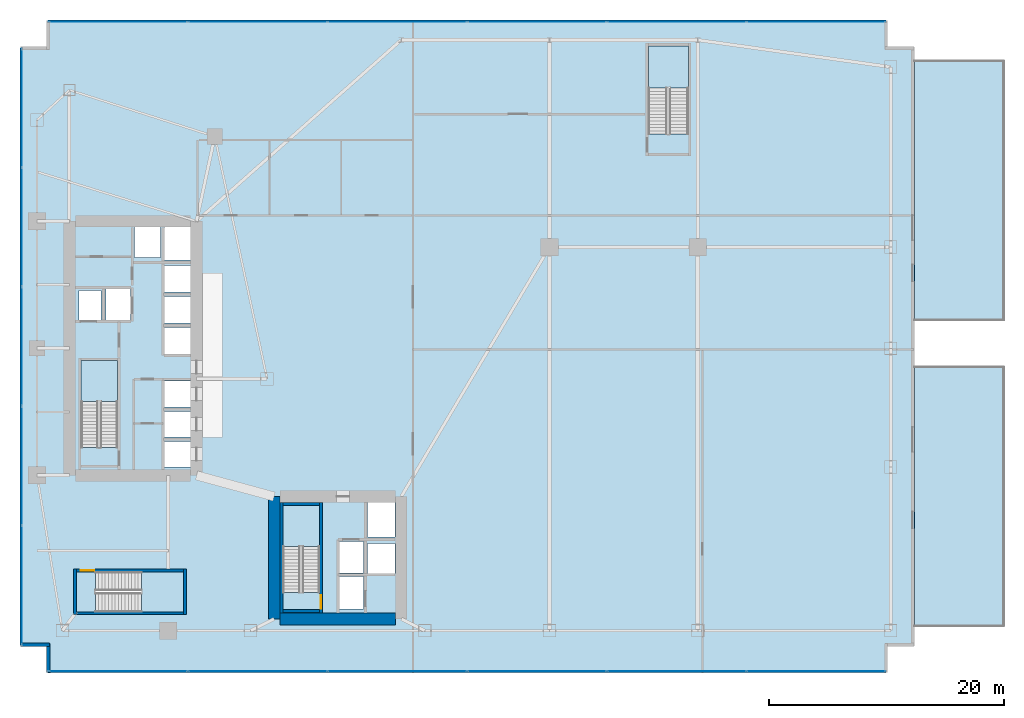
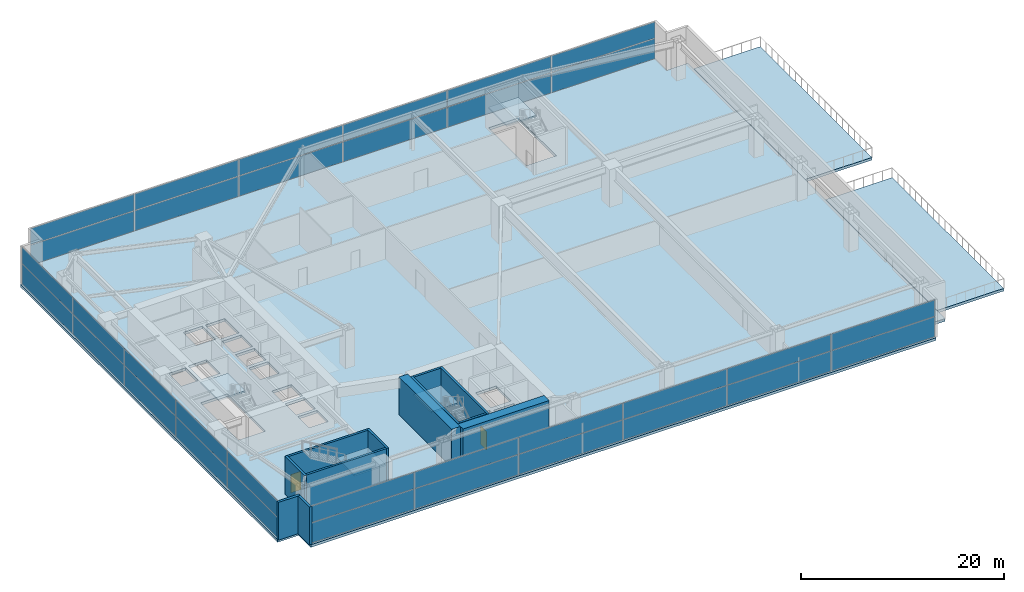
# One storey, part 24 of 30: 34 plates, 12 walls, 7 slabs, 2 doors, 2 openings, 7 elements without a shape of their own.
"""IFC4 building model written with IfcOpenShell, lengths in metres."""

import ifcopenshell
import ifcopenshell.guid

model = None  # the IFC model being written
_history = None  # IfcOwnerHistory: only IFC2X3 demands one
_inside = {}  # id of a spatial element -> (the spatial element, [elements in it])
_under = {}  # id of a project, library or spatial element -> (it, [spatial elements below it])
_declared = {}  # id of a project -> (the project, [libraries it declares])
_typed = {}  # id of a type object -> (the type object, [elements of that type])
_made_of = {}  # id of a material, layer set ... -> (it, [elements and type objects made of it])


def new_model(schema):
    """Start an empty IFC model of exactly this schema.

    Asked for "IFC4X3", IfcOpenShell would pick the latest addendum, in which some entities
    have other attributes; the version numbers below select the first issue.
    IFC2X3 requires an IfcOwnerHistory on every rooted entity: one is made here for all.
    """
    global model, _history
    if schema == "IFC4X3":
        model = ifcopenshell.file(schema_version=(4, 3, 0, 0))
    else:
        model = ifcopenshell.file(schema=schema)
    _inside.clear()
    _under.clear()
    _declared.clear()
    _typed.clear()
    _made_of.clear()
    _history = None
    if model.schema == "IFC2X3":
        org = make("IfcOrganization", Name="unknown")
        user = make(
            "IfcPersonAndOrganization",
            ThePerson=make("IfcPerson", FamilyName="unknown"),
            TheOrganization=org,
        )
        app = make(
            "IfcApplication",
            ApplicationDeveloper=org,
            Version="unknown",
            ApplicationFullName="unknown",
            ApplicationIdentifier="unknown",
        )
        _history = make(
            "IfcOwnerHistory",
            OwningUser=user,
            OwningApplication=app,
            ChangeAction="ADDED",
            CreationDate=0,
        )
    return model


def make(cls, **values):
    """One entity of the class cls with the attributes given. An attribute that is None is left unset."""
    return model.create_entity(
        cls, **{name: value for name, value in values.items() if value is not None}
    )


def rooted(cls, **values):
    """An entity with a GlobalId (a new one), such as an element, a storey or a relation."""
    return make(cls, GlobalId=ifcopenshell.guid.new(), OwnerHistory=_history, **values)


def si_unit(unit_type, name, prefix=None):
    """IfcSIUnit, for example si_unit("LENGTHUNIT", "METRE", prefix="MILLI")."""
    return make("IfcSIUnit", UnitType=unit_type, Prefix=prefix, Name=name)


def assignment(units):
    """IfcUnitAssignment: the units of a project."""
    return None if units is None else make("IfcUnitAssignment", Units=units)


def point(xyz):
    """IfcCartesianPoint."""
    return None if xyz is None else make("IfcCartesianPoint", Coordinates=xyz)


def direction(xyz):
    """IfcDirection."""
    return None if xyz is None else make("IfcDirection", DirectionRatios=xyz)


def frame(location, z_axis=None, x_axis=None):
    """IfcAxis2Placement3D, a coordinate frame: its origin and axes. An axis left out is left unset."""
    return make(
        "IfcAxis2Placement3D",
        Location=point(location),
        Axis=direction(z_axis),
        RefDirection=direction(x_axis),
    )


def frame_2d(location, x_axis=None):
    """IfcAxis2Placement2D, a coordinate frame in the plane: its origin and x axis."""
    return make(
        "IfcAxis2Placement2D", Location=point(location), RefDirection=direction(x_axis)
    )


def origin():
    """The frame at (0, 0, 0) with its axes left unset."""
    return frame((0.0, 0.0, 0.0))


def origin_2d():
    """The frame at (0, 0) in the plane with its x axis left unset."""
    return frame_2d((0.0, 0.0))


def place(relative_to, where):
    """IfcLocalPlacement: puts the frame where relative to a parent placement (None: the world)."""
    return make(
        "IfcLocalPlacement", PlacementRelTo=relative_to, RelativePlacement=where
    )


def context(
    kind, dimensions, precision=None, world=None, true_north=None, identifier=None
):
    """IfcGeometricRepresentationContext, for example the 3D "Model" context."""
    return make(
        "IfcGeometricRepresentationContext",
        ContextIdentifier=identifier,
        ContextType=kind,
        CoordinateSpaceDimension=dimensions,
        Precision=precision,
        WorldCoordinateSystem=world,
        TrueNorth=true_north,
    )


def subcontext(parent, identifier, kind, view, scale=None):
    """IfcGeometricRepresentationSubContext, for example "Body" below "Model"."""
    return make(
        "IfcGeometricRepresentationSubContext",
        ContextIdentifier=identifier,
        ContextType=kind,
        ParentContext=parent,
        TargetScale=scale,
        TargetView=view,
    )


def project(units=None, contexts=None):
    """IfcProject with its units and contexts."""
    return rooted(
        "IfcProject",
        Name="project",
        RepresentationContexts=contexts,
        UnitsInContext=assignment(units),
    )


def spatial(cls, under=None, at=None, **own):
    """A site, building, storey or space (cls), placed at a placement, below another one or the project."""
    s = rooted(cls, ObjectPlacement=at, **own)
    if under is not None:
        _under.setdefault(under.id(), (under, []))[1].append(s)
    return s


def polyline(points):
    """IfcPolyline through the points."""
    return make("IfcPolyline", Points=[point(p) for p in points])


def profile(cls, at=None, kind="AREA", **sizes):
    """A parametric profile (cls). Its sizes go by their IFC names, for example OverallWidth=200.0."""
    return make(cls, ProfileType=kind, Position=at, **sizes)


def rectangle(**sizes):
    """IfcRectangleProfileDef."""
    return profile("IfcRectangleProfileDef", **sizes)


def outline(outer, holes=None, kind="AREA"):
    """IfcArbitraryClosedProfileDef: a profile drawn as a closed curve; with holes, ...WithVoids."""
    if holes is None:
        return make("IfcArbitraryClosedProfileDef", ProfileType=kind, OuterCurve=outer)
    return make(
        "IfcArbitraryProfileDefWithVoids",
        ProfileType=kind,
        OuterCurve=outer,
        InnerCurves=holes,
    )


def extrude(swept, where, along, depth):
    """IfcExtrudedAreaSolid: the profile swept, set in the frame where, extruded along a direction by depth."""
    return make(
        "IfcExtrudedAreaSolid",
        SweptArea=swept,
        Position=where,
        ExtrudedDirection=direction(along),
        Depth=depth,
    )


def shape(context_of_items, identifier, shape_type, items):
    """IfcShapeRepresentation: the items that make up one representation, for example the "Body"."""
    return make(
        "IfcShapeRepresentation",
        ContextOfItems=context_of_items,
        RepresentationIdentifier=identifier,
        RepresentationType=shape_type,
        Items=items,
    )


def material(Name=None, Category=None):
    """IfcMaterial."""
    return make("IfcMaterial", Name=Name, Category=Category)


def layer(
    of_material, thickness, ventilated=None, Name=None, Category=None, Priority=None
):
    """IfcMaterialLayer: one layer of a wall or slab, of a material (None: an air gap)."""
    return make(
        "IfcMaterialLayer",
        Material=of_material,
        LayerThickness=thickness,
        IsVentilated=ventilated,
        Name=Name,
        Category=Category,
        Priority=Priority,
    )


def layer_set(layers, Name=None):
    """IfcMaterialLayerSet."""
    return make("IfcMaterialLayerSet", MaterialLayers=layers, LayerSetName=Name)


def made_of(thing, what):
    """Note that an element or type object is made of a material, layer set ...; save() writes the relation."""
    if what is not None:
        _made_of.setdefault(what.id(), (what, []))[1].append(thing)
    return thing


def type_object(cls, material=None, **own):
    """A type object (cls), such as IfcWallType, which elements share."""
    return made_of(rooted(cls, **own), material)


def element(
    cls,
    number,
    at=None,
    inside=None,
    cuts=None,
    type_object=None,
    material=None,
    context=None,
    identifier="Body",
    shape_type=None,
    held_by="IfcProductDefinitionShape",
    body=None,
    shapes=None,
    **own,
):
    """One element of the class cls, such as IfcWall. Its Tag is "e" and its number.

    at: its placement. inside: the storey or other place that contains it. cuts: it is an
    opening in that element (IfcRelVoidsElement). A single representation is given by context,
    identifier, shape_type and body (its items); several are given by shapes. held_by: the class
    of the entity that holds the representations. save() writes the other relations.
    """
    e = rooted(cls, Tag="e%d" % number, ObjectPlacement=at, **own)
    if body is not None:
        shapes = [shape(context, identifier, shape_type, body)]
    if shapes is not None:
        e.Representation = make(held_by, Representations=shapes)
    if inside is not None:
        _inside.setdefault(inside.id(), (inside, []))[1].append(e)
    if cuts is not None:
        rooted(
            "IfcRelVoidsElement", RelatingBuildingElement=cuts, RelatedOpeningElement=e
        )
    if type_object is not None:
        _typed.setdefault(type_object.id(), (type_object, []))[1].append(e)
    return made_of(e, material)


def fill(opening, filler):
    """IfcRelFillsElement: the door or window that sits in an opening."""
    return rooted(
        "IfcRelFillsElement",
        RelatingOpeningElement=opening,
        RelatedBuildingElement=filler,
    )


def aggregate(whole, parts):
    """IfcRelAggregates: a whole, such as a stair, and the parts it consists of."""
    return rooted("IfcRelAggregates", RelatingObject=whole, RelatedObjects=parts)


def save(model, path):
    """Write the relations noted so far, then the file.

    IfcRelAggregates (storeys below a building ...), IfcRelContainedInSpatialStructure (elements
    in a storey), IfcRelDefinesByType, IfcRelAssociatesMaterial and IfcRelDeclares: one each for
    every whole, place, type object, material and project.
    """
    for whole, parts in _under.values():
        aggregate(whole, parts)
    for where, things in _inside.values():
        rooted(
            "IfcRelContainedInSpatialStructure",
            RelatedElements=things,
            RelatingStructure=where,
        )
    for kind, things in _typed.values():
        rooted("IfcRelDefinesByType", RelatedObjects=things, RelatingType=kind)
    for what, things in _made_of.values():
        rooted("IfcRelAssociatesMaterial", RelatedObjects=things, RelatingMaterial=what)
    for by, libraries in _declared.values():
        rooted("IfcRelDeclares", RelatingContext=by, RelatedDefinitions=libraries)
    model.write(path)


model = new_model("IFC4")

# Units and contexts
model_context = context("Model", 3, precision=1e-05, world=origin(), true_north=direction((0.0, 1.0)))
body_context = subcontext(model_context, "Body", "Model", "MODEL_VIEW")
ifc_project = project(units=[si_unit("LENGTHUNIT", "METRE"), si_unit("AREAUNIT", "SQUARE_METRE"), si_unit("VOLUMEUNIT", "CUBIC_METRE"), si_unit("PLANEANGLEUNIT", "RADIAN"), si_unit("MASSUNIT", "GRAM", prefix="KILO")], contexts=[model_context])

# Site, building, storey
site_placement = place(None, origin())
site = spatial("IfcSite", under=ifc_project, at=site_placement, CompositionType="ELEMENT")
building_placement = place(site_placement, origin())
building = spatial("IfcBuilding", under=site, at=building_placement, Name="Calvorn Quay Hotel", CompositionType="ELEMENT")
storey_placement = place(building_placement, frame((0.0, 0.0, 17.0)))
storey = spatial("IfcBuildingStorey", under=building, at=storey_placement, Name="L03", CompositionType="ELEMENT", Elevation=17.0)

# Curtain wall, plates
ifc_material_1 = material(Name="Pale Anodised Aluminium and Low-E Glass", Category="aluminium")
ifc_layer_1 = layer(ifc_material_1, 0.219970703125)
ifc_layer_set_1 = layer_set([ifc_layer_1], Name="CW-SYS-POD")
curtain_wall_type = type_object("IfcCurtainWallType", Name="CW-SYS-POD", PredefinedType="NOTDEFINED", material=ifc_layer_set_1)
curtain_wall_1_placement = place(storey_placement, origin())
curtain_wall_1 = element("IfcCurtainWall", 1, at=curtain_wall_1_placement, inside=storey, type_object=curtain_wall_type, Name="Podium Curtain Wall L03-S1", PredefinedType="NOTDEFINED")
ifc_material_2 = material(Name="Low-E Laminated Double Glazing", Category="glass")
ifc_layer_2 = layer(ifc_material_2, 0.028076171875)
ifc_layer_set_2 = layer_set([ifc_layer_2], Name="CW-SYS-POD-PAN")
plate_type = type_object("IfcPlateType", Name="CW-SYS-POD-PAN", PredefinedType="CURTAIN_PANEL", material=ifc_layer_set_2)
plate_1_placement = place(storey_placement, frame((8.348388671875, 0.14990234375, 0.06005859375), z_axis=(0.0, 0.0, 1.0), x_axis=(1.0, 0.0, 0.0)))
plate_1 = element("IfcPlate", 2, at=plate_1_placement, type_object=plate_type, Name="CW-L03-S1 panel 1.1", PredefinedType="CURTAIN_PANEL", context=body_context, shape_type="SweptSolid", body=[
    extrude(rectangle(XDim=11.776611328125, YDim=0.028076171875, at=origin_2d()), origin(), (0.0, 0.0, 1.0), 2.409912109375),
])
plate_2_placement = place(storey_placement, frame((8.348388671875, 0.14990234375, 2.530029296875), z_axis=(0.0, 0.0, 1.0), x_axis=(1.0, 0.0, 0.0)))
plate_2 = element("IfcPlate", 3, at=plate_2_placement, type_object=plate_type, Name="CW-L03-S1 panel 1.2", PredefinedType="CURTAIN_PANEL", context=body_context, shape_type="SweptSolid", body=[
    extrude(rectangle(XDim=11.776611328125, YDim=0.028076171875, at=origin_2d()), origin(), (0.0, 0.0, 1.0), 1.9599609375),
])
plate_3_placement = place(storey_placement, frame((20.199951171875, 0.14990234375, 0.06005859375), z_axis=(0.0, 0.0, 1.0), x_axis=(1.0, 0.0, 0.0)))
plate_3 = element("IfcPlate", 4, at=plate_3_placement, type_object=plate_type, Name="CW-L03-S1 panel 2.1", PredefinedType="CURTAIN_PANEL", context=body_context, shape_type="SweptSolid", body=[
    extrude(rectangle(XDim=11.806640625, YDim=0.028076171875, at=origin_2d()), origin(), (0.0, 0.0, 1.0), 2.409912109375),
])
plate_4_placement = place(storey_placement, frame((20.199951171875, 0.14990234375, 2.530029296875), z_axis=(0.0, 0.0, 1.0), x_axis=(1.0, 0.0, 0.0)))
plate_4 = element("IfcPlate", 5, at=plate_4_placement, type_object=plate_type, Name="CW-L03-S1 panel 2.2", PredefinedType="CURTAIN_PANEL", context=body_context, shape_type="SweptSolid", body=[
    extrude(rectangle(XDim=11.806640625, YDim=0.028076171875, at=origin_2d()), origin(), (0.0, 0.0, 1.0), 1.9599609375),
])
plate_5_placement = place(storey_placement, frame((32.066650390625, 0.14990234375, 0.06005859375), z_axis=(0.0, 0.0, 1.0), x_axis=(1.0, 0.0, 0.0)))
plate_5 = element("IfcPlate", 6, at=plate_5_placement, type_object=plate_type, Name="CW-L03-S1 panel 3.1", PredefinedType="CURTAIN_PANEL", context=body_context, shape_type="SweptSolid", body=[
    extrude(rectangle(XDim=11.806640625, YDim=0.028076171875, at=origin_2d()), origin(), (0.0, 0.0, 1.0), 2.409912109375),
])
plate_6_placement = place(storey_placement, frame((32.066650390625, 0.14990234375, 2.530029296875), z_axis=(0.0, 0.0, 1.0), x_axis=(1.0, 0.0, 0.0)))
plate_6 = element("IfcPlate", 7, at=plate_6_placement, type_object=plate_type, Name="CW-L03-S1 panel 3.2", PredefinedType="CURTAIN_PANEL", context=body_context, shape_type="SweptSolid", body=[
    extrude(rectangle(XDim=11.806640625, YDim=0.028076171875, at=origin_2d()), origin(), (0.0, 0.0, 1.0), 1.9599609375),
])
plate_7_placement = place(storey_placement, frame((43.933349609375, 0.14990234375, 0.06005859375), z_axis=(0.0, 0.0, 1.0), x_axis=(1.0, 0.0, 0.0)))
plate_7 = element("IfcPlate", 8, at=plate_7_placement, type_object=plate_type, Name="CW-L03-S1 panel 4.1", PredefinedType="CURTAIN_PANEL", context=body_context, shape_type="SweptSolid", body=[
    extrude(rectangle(XDim=11.806640625, YDim=0.028076171875, at=origin_2d()), origin(), (0.0, 0.0, 1.0), 2.409912109375),
])
plate_8_placement = place(storey_placement, frame((43.933349609375, 0.14990234375, 2.530029296875), z_axis=(0.0, 0.0, 1.0), x_axis=(1.0, 0.0, 0.0)))
plate_8 = element("IfcPlate", 9, at=plate_8_placement, type_object=plate_type, Name="CW-L03-S1 panel 4.2", PredefinedType="CURTAIN_PANEL", context=body_context, shape_type="SweptSolid", body=[
    extrude(rectangle(XDim=11.806640625, YDim=0.028076171875, at=origin_2d()), origin(), (0.0, 0.0, 1.0), 1.9599609375),
])
plate_9_placement = place(storey_placement, frame((55.800048828125, 0.14990234375, 0.06005859375), z_axis=(0.0, 0.0, 1.0), x_axis=(1.0, 0.0, 0.0)))
plate_9 = element("IfcPlate", 10, at=plate_9_placement, type_object=plate_type, Name="CW-L03-S1 panel 5.1", PredefinedType="CURTAIN_PANEL", context=body_context, shape_type="SweptSolid", body=[
    extrude(rectangle(XDim=11.806640625, YDim=0.028076171875, at=origin_2d()), origin(), (0.0, 0.0, 1.0), 2.409912109375),
])
plate_10_placement = place(storey_placement, frame((55.800048828125, 0.14990234375, 2.530029296875), z_axis=(0.0, 0.0, 1.0), x_axis=(1.0, 0.0, 0.0)))
plate_10 = element("IfcPlate", 11, at=plate_10_placement, type_object=plate_type, Name="CW-L03-S1 panel 5.2", PredefinedType="CURTAIN_PANEL", context=body_context, shape_type="SweptSolid", body=[
    extrude(rectangle(XDim=11.806640625, YDim=0.028076171875, at=origin_2d()), origin(), (0.0, 0.0, 1.0), 1.9599609375),
])
plate_11_placement = place(storey_placement, frame((67.651611328125, 0.14990234375, 0.06005859375), z_axis=(0.0, 0.0, 1.0), x_axis=(1.0, 0.0, 0.0)))
plate_11 = element("IfcPlate", 12, at=plate_11_placement, type_object=plate_type, Name="CW-L03-S1 panel 6.1", PredefinedType="CURTAIN_PANEL", context=body_context, shape_type="SweptSolid", body=[
    extrude(rectangle(XDim=11.776611328125, YDim=0.028076171875, at=origin_2d()), origin(), (0.0, 0.0, 1.0), 2.409912109375),
])
plate_12_placement = place(storey_placement, frame((67.651611328125, 0.14990234375, 2.530029296875), z_axis=(0.0, 0.0, 1.0), x_axis=(1.0, 0.0, 0.0)))
plate_12 = element("IfcPlate", 13, at=plate_12_placement, type_object=plate_type, Name="CW-L03-S1 panel 6.2", PredefinedType="CURTAIN_PANEL", context=body_context, shape_type="SweptSolid", body=[
    extrude(rectangle(XDim=11.776611328125, YDim=0.028076171875, at=origin_2d()), origin(), (0.0, 0.0, 1.0), 1.9599609375),
])
aggregate(curtain_wall_1, [plate_1, plate_2, plate_3, plate_4, plate_5, plate_6, plate_7, plate_8, plate_9, plate_10, plate_11, plate_12])

curtain_wall_2_placement = place(storey_placement, origin())
curtain_wall_2 = element("IfcCurtainWall", 14, at=curtain_wall_2_placement, inside=storey, type_object=curtain_wall_type, Name="Podium Curtain Wall L03-W1", PredefinedType="NOTDEFINED")
plate_13_placement = place(storey_placement, frame((0.14990234375, 7.485107421875, 0.06005859375), z_axis=(0.0, 0.0, 1.0), x_axis=(0.0, 1.0, 0.0)))
plate_13 = element("IfcPlate", 15, at=plate_13_placement, type_object=plate_type, Name="CW-L03-W1 panel 1.1", PredefinedType="CURTAIN_PANEL", context=body_context, shape_type="SweptSolid", body=[
    extrude(rectangle(XDim=10.050048828125, YDim=0.028076171875, at=origin_2d()), origin(), (0.0, 0.0, 1.0), 2.409912109375),
])
plate_14_placement = place(storey_placement, frame((0.14990234375, 7.485107421875, 2.530029296875), z_axis=(0.0, 0.0, 1.0), x_axis=(0.0, 1.0, 0.0)))
plate_14 = element("IfcPlate", 16, at=plate_14_placement, type_object=plate_type, Name="CW-L03-W1 panel 1.2", PredefinedType="CURTAIN_PANEL", context=body_context, shape_type="SweptSolid", body=[
    extrude(rectangle(XDim=10.050048828125, YDim=0.028076171875, at=origin_2d()), origin(), (0.0, 0.0, 1.0), 1.9599609375),
])
plate_15_placement = place(storey_placement, frame((0.14990234375, 17.610107421875, 0.06005859375), z_axis=(0.0, 0.0, 1.0), x_axis=(0.0, 1.0, 0.0)))
plate_15 = element("IfcPlate", 17, at=plate_15_placement, type_object=plate_type, Name="CW-L03-W1 panel 2.1", PredefinedType="CURTAIN_PANEL", context=body_context, shape_type="SweptSolid", body=[
    extrude(rectangle(XDim=10.080078125, YDim=0.028076171875, at=origin_2d()), origin(), (0.0, 0.0, 1.0), 2.409912109375),
])
plate_16_placement = place(storey_placement, frame((0.14990234375, 17.610107421875, 2.530029296875), z_axis=(0.0, 0.0, 1.0), x_axis=(0.0, 1.0, 0.0)))
plate_16 = element("IfcPlate", 18, at=plate_16_placement, type_object=plate_type, Name="CW-L03-W1 panel 2.2", PredefinedType="CURTAIN_PANEL", context=body_context, shape_type="SweptSolid", body=[
    extrude(rectangle(XDim=10.080078125, YDim=0.028076171875, at=origin_2d()), origin(), (0.0, 0.0, 1.0), 1.9599609375),
])
plate_17_placement = place(storey_placement, frame((0.14990234375, 27.75, 0.06005859375), z_axis=(0.0, 0.0, 1.0), x_axis=(0.0, 1.0, 0.0)))
plate_17 = element("IfcPlate", 19, at=plate_17_placement, type_object=plate_type, Name="CW-L03-W1 panel 3.1", PredefinedType="CURTAIN_PANEL", context=body_context, shape_type="SweptSolid", body=[
    extrude(rectangle(XDim=10.080078125, YDim=0.028076171875, at=origin_2d()), origin(), (0.0, 0.0, 1.0), 2.409912109375),
])
plate_18_placement = place(storey_placement, frame((0.14990234375, 27.75, 2.530029296875), z_axis=(0.0, 0.0, 1.0), x_axis=(0.0, 1.0, 0.0)))
plate_18 = element("IfcPlate", 20, at=plate_18_placement, type_object=plate_type, Name="CW-L03-W1 panel 3.2", PredefinedType="CURTAIN_PANEL", context=body_context, shape_type="SweptSolid", body=[
    extrude(rectangle(XDim=10.080078125, YDim=0.028076171875, at=origin_2d()), origin(), (0.0, 0.0, 1.0), 1.9599609375),
])
plate_19_placement = place(storey_placement, frame((0.14990234375, 37.889892578125, 0.06005859375), z_axis=(0.0, 0.0, 1.0), x_axis=(0.0, 1.0, 0.0)))
plate_19 = element("IfcPlate", 21, at=plate_19_placement, type_object=plate_type, Name="CW-L03-W1 panel 4.1", PredefinedType="CURTAIN_PANEL", context=body_context, shape_type="SweptSolid", body=[
    extrude(rectangle(XDim=10.080078125, YDim=0.028076171875, at=origin_2d()), origin(), (0.0, 0.0, 1.0), 2.409912109375),
])
plate_20_placement = place(storey_placement, frame((0.14990234375, 37.889892578125, 2.530029296875), z_axis=(0.0, 0.0, 1.0), x_axis=(0.0, 1.0, 0.0)))
plate_20 = element("IfcPlate", 22, at=plate_20_placement, type_object=plate_type, Name="CW-L03-W1 panel 4.2", PredefinedType="CURTAIN_PANEL", context=body_context, shape_type="SweptSolid", body=[
    extrude(rectangle(XDim=10.080078125, YDim=0.028076171875, at=origin_2d()), origin(), (0.0, 0.0, 1.0), 1.9599609375),
])
plate_21_placement = place(storey_placement, frame((0.14990234375, 48.014892578125, 0.06005859375), z_axis=(0.0, 0.0, 1.0), x_axis=(0.0, 1.0, 0.0)))
plate_21 = element("IfcPlate", 23, at=plate_21_placement, type_object=plate_type, Name="CW-L03-W1 panel 5.1", PredefinedType="CURTAIN_PANEL", context=body_context, shape_type="SweptSolid", body=[
    extrude(rectangle(XDim=10.050048828125, YDim=0.028076171875, at=origin_2d()), origin(), (0.0, 0.0, 1.0), 2.409912109375),
])
plate_22_placement = place(storey_placement, frame((0.14990234375, 48.014892578125, 2.530029296875), z_axis=(0.0, 0.0, 1.0), x_axis=(0.0, 1.0, 0.0)))
plate_22 = element("IfcPlate", 24, at=plate_22_placement, type_object=plate_type, Name="CW-L03-W1 panel 5.2", PredefinedType="CURTAIN_PANEL", context=body_context, shape_type="SweptSolid", body=[
    extrude(rectangle(XDim=10.050048828125, YDim=0.028076171875, at=origin_2d()), origin(), (0.0, 0.0, 1.0), 1.9599609375),
])
aggregate(curtain_wall_2, [plate_13, plate_14, plate_15, plate_16, plate_17, plate_18, plate_19, plate_20, plate_21, plate_22])

curtain_wall_3_placement = place(storey_placement, origin())
curtain_wall_3 = element("IfcCurtainWall", 25, at=curtain_wall_3_placement, inside=storey, type_object=curtain_wall_type, Name="Podium Curtain Wall L03-N1", PredefinedType="NOTDEFINED")
plate_23_placement = place(storey_placement, frame((8.348388671875, 55.35009765625, 0.06005859375), z_axis=(0.0, 0.0, 1.0), x_axis=(1.0, 0.0, 0.0)))
plate_23 = element("IfcPlate", 26, at=plate_23_placement, type_object=plate_type, Name="CW-L03-N1 panel 1.1", PredefinedType="CURTAIN_PANEL", context=body_context, shape_type="SweptSolid", body=[
    extrude(rectangle(XDim=11.776611328125, YDim=0.028076171875, at=origin_2d()), origin(), (0.0, 0.0, 1.0), 2.409912109375),
])
plate_24_placement = place(storey_placement, frame((8.348388671875, 55.35009765625, 2.530029296875), z_axis=(0.0, 0.0, 1.0), x_axis=(1.0, 0.0, 0.0)))
plate_24 = element("IfcPlate", 27, at=plate_24_placement, type_object=plate_type, Name="CW-L03-N1 panel 1.2", PredefinedType="CURTAIN_PANEL", context=body_context, shape_type="SweptSolid", body=[
    extrude(rectangle(XDim=11.776611328125, YDim=0.028076171875, at=origin_2d()), origin(), (0.0, 0.0, 1.0), 1.9599609375),
])
plate_25_placement = place(storey_placement, frame((20.199951171875, 55.35009765625, 0.06005859375), z_axis=(0.0, 0.0, 1.0), x_axis=(1.0, 0.0, 0.0)))
plate_25 = element("IfcPlate", 28, at=plate_25_placement, type_object=plate_type, Name="CW-L03-N1 panel 2.1", PredefinedType="CURTAIN_PANEL", context=body_context, shape_type="SweptSolid", body=[
    extrude(rectangle(XDim=11.806640625, YDim=0.028076171875, at=origin_2d()), origin(), (0.0, 0.0, 1.0), 2.409912109375),
])
plate_26_placement = place(storey_placement, frame((20.199951171875, 55.35009765625, 2.530029296875), z_axis=(0.0, 0.0, 1.0), x_axis=(1.0, 0.0, 0.0)))
plate_26 = element("IfcPlate", 29, at=plate_26_placement, type_object=plate_type, Name="CW-L03-N1 panel 2.2", PredefinedType="CURTAIN_PANEL", context=body_context, shape_type="SweptSolid", body=[
    extrude(rectangle(XDim=11.806640625, YDim=0.028076171875, at=origin_2d()), origin(), (0.0, 0.0, 1.0), 1.9599609375),
])
plate_27_placement = place(storey_placement, frame((32.066650390625, 55.35009765625, 0.06005859375), z_axis=(0.0, 0.0, 1.0), x_axis=(1.0, 0.0, 0.0)))
plate_27 = element("IfcPlate", 30, at=plate_27_placement, type_object=plate_type, Name="CW-L03-N1 panel 3.1", PredefinedType="CURTAIN_PANEL", context=body_context, shape_type="SweptSolid", body=[
    extrude(rectangle(XDim=11.806640625, YDim=0.028076171875, at=origin_2d()), origin(), (0.0, 0.0, 1.0), 2.409912109375),
])
plate_28_placement = place(storey_placement, frame((32.066650390625, 55.35009765625, 2.530029296875), z_axis=(0.0, 0.0, 1.0), x_axis=(1.0, 0.0, 0.0)))
plate_28 = element("IfcPlate", 31, at=plate_28_placement, type_object=plate_type, Name="CW-L03-N1 panel 3.2", PredefinedType="CURTAIN_PANEL", context=body_context, shape_type="SweptSolid", body=[
    extrude(rectangle(XDim=11.806640625, YDim=0.028076171875, at=origin_2d()), origin(), (0.0, 0.0, 1.0), 1.9599609375),
])
plate_29_placement = place(storey_placement, frame((43.933349609375, 55.35009765625, 0.06005859375), z_axis=(0.0, 0.0, 1.0), x_axis=(1.0, 0.0, 0.0)))
plate_29 = element("IfcPlate", 32, at=plate_29_placement, type_object=plate_type, Name="CW-L03-N1 panel 4.1", PredefinedType="CURTAIN_PANEL", context=body_context, shape_type="SweptSolid", body=[
    extrude(rectangle(XDim=11.806640625, YDim=0.028076171875, at=origin_2d()), origin(), (0.0, 0.0, 1.0), 2.409912109375),
])
plate_30_placement = place(storey_placement, frame((43.933349609375, 55.35009765625, 2.530029296875), z_axis=(0.0, 0.0, 1.0), x_axis=(1.0, 0.0, 0.0)))
plate_30 = element("IfcPlate", 33, at=plate_30_placement, type_object=plate_type, Name="CW-L03-N1 panel 4.2", PredefinedType="CURTAIN_PANEL", context=body_context, shape_type="SweptSolid", body=[
    extrude(rectangle(XDim=11.806640625, YDim=0.028076171875, at=origin_2d()), origin(), (0.0, 0.0, 1.0), 1.9599609375),
])
plate_31_placement = place(storey_placement, frame((55.800048828125, 55.35009765625, 0.06005859375), z_axis=(0.0, 0.0, 1.0), x_axis=(1.0, 0.0, 0.0)))
plate_31 = element("IfcPlate", 34, at=plate_31_placement, type_object=plate_type, Name="CW-L03-N1 panel 5.1", PredefinedType="CURTAIN_PANEL", context=body_context, shape_type="SweptSolid", body=[
    extrude(rectangle(XDim=11.806640625, YDim=0.028076171875, at=origin_2d()), origin(), (0.0, 0.0, 1.0), 2.409912109375),
])
plate_32_placement = place(storey_placement, frame((55.800048828125, 55.35009765625, 2.530029296875), z_axis=(0.0, 0.0, 1.0), x_axis=(1.0, 0.0, 0.0)))
plate_32 = element("IfcPlate", 35, at=plate_32_placement, type_object=plate_type, Name="CW-L03-N1 panel 5.2", PredefinedType="CURTAIN_PANEL", context=body_context, shape_type="SweptSolid", body=[
    extrude(rectangle(XDim=11.806640625, YDim=0.028076171875, at=origin_2d()), origin(), (0.0, 0.0, 1.0), 1.9599609375),
])
plate_33_placement = place(storey_placement, frame((67.651611328125, 55.35009765625, 0.06005859375), z_axis=(0.0, 0.0, 1.0), x_axis=(1.0, 0.0, 0.0)))
plate_33 = element("IfcPlate", 36, at=plate_33_placement, type_object=plate_type, Name="CW-L03-N1 panel 6.1", PredefinedType="CURTAIN_PANEL", context=body_context, shape_type="SweptSolid", body=[
    extrude(rectangle(XDim=11.776611328125, YDim=0.028076171875, at=origin_2d()), origin(), (0.0, 0.0, 1.0), 2.409912109375),
])
plate_34_placement = place(storey_placement, frame((67.651611328125, 55.35009765625, 2.530029296875), z_axis=(0.0, 0.0, 1.0), x_axis=(1.0, 0.0, 0.0)))
plate_34 = element("IfcPlate", 37, at=plate_34_placement, type_object=plate_type, Name="CW-L03-N1 panel 6.2", PredefinedType="CURTAIN_PANEL", context=body_context, shape_type="SweptSolid", body=[
    extrude(rectangle(XDim=11.776611328125, YDim=0.028076171875, at=origin_2d()), origin(), (0.0, 0.0, 1.0), 1.9599609375),
])
aggregate(curtain_wall_3, [plate_23, plate_24, plate_25, plate_26, plate_27, plate_28, plate_29, plate_30, plate_31, plate_32, plate_33, plate_34])

# Slabs
ifc_material_3 = material(Name="Concrete C40", Category="concrete")
ifc_layer_3 = layer(ifc_material_3, 0.320068359375)
ifc_layer_set_3 = layer_set([ifc_layer_3], Name="SLB-POD-320")
slab_type_1 = type_object("IfcSlabType", Name="SLB-POD-320", PredefinedType="FLOOR", material=ifc_layer_set_3)
slab_1_placement = place(storey_placement, frame((0.0, 0.0, -0.320068359375)))
element("IfcSlab", 38, at=slab_1_placement, inside=storey, type_object=slab_type_1, Name="Waterfront Terrace Deck PV-05", PredefinedType="ROOF", context=body_context, shape_type="SweptSolid", body=[
    extrude(outline(polyline([(76.02001953125, 4.0), (83.60009765625, 4.0), (83.60009765625, 26.0), (76.02001953125, 26.0), (76.02001953125, 4.0)])), origin(), (0.0, 0.0, 1.0), 0.320068359375),
])
slab_2_placement = place(storey_placement, frame((0.0, 0.0, -0.320068359375)))
element("IfcSlab", 39, at=slab_2_placement, inside=storey, type_object=slab_type_1, Name="Waterfront Terrace Deck PV-06", PredefinedType="ROOF", context=body_context, shape_type="SweptSolid", body=[
    extrude(outline(polyline([(76.02001953125, 30.0), (83.60009765625, 30.0), (83.60009765625, 52.0), (76.02001953125, 52.0), (76.02001953125, 30.0)])), origin(), (0.0, 0.0, 1.0), 0.320068359375),
])
slab_3_placement = place(storey_placement, frame((0.0, 0.0, -0.320068359375)))
element("IfcSlab", 40, at=slab_3_placement, inside=storey, type_object=slab_type_1, Name="L03 Structural Floor Slab", PredefinedType="FLOOR", context=body_context, shape_type="SweptSolid", body=[
    extrude(outline(polyline([(0.0, 2.39990234375), (2.39990234375, 2.39990234375), (2.39990234375, 0.0), (73.60009765625, 0.0), (73.60009765625, 2.39990234375), (76.0, 2.39990234375), (76.0, 53.10009765625), (73.60009765625, 53.10009765625), (73.60009765625, 55.5), (2.39990234375, 55.5), (2.39990234375, 53.10009765625), (0.0, 53.10009765625), (0.0, 2.39990234375)]), holes=[polyline([(5.199951171875, 19.156005859375), (8.300048828125, 19.156005859375), (8.300048828125, 26.550048828125), (5.199951171875, 26.550048828125), (5.199951171875, 19.156005859375)]), polyline([(22.35009765625, 6.85595703125), (25.449951171875, 6.85595703125), (25.449951171875, 14.25), (22.35009765625, 14.25), (22.35009765625, 6.85595703125)]), polyline([(53.39990234375, 45.805908203125), (56.800048828125, 45.805908203125), (56.800048828125, 53.300048828125), (53.39990234375, 53.300048828125), (53.39990234375, 45.805908203125)]), polyline([(6.406005859375, 5.199951171875), (13.89990234375, 5.199951171875), (13.89990234375, 8.60009765625), (6.406005859375, 8.60009765625), (6.406005859375, 5.199951171875)]), polyline([(5.0, 30.0), (6.89990234375, 30.0), (6.89990234375, 32.5), (5.0, 32.5), (5.0, 30.0)]), polyline([(7.300048828125, 30.0), (9.39990234375, 30.0), (9.39990234375, 32.64990234375), (7.300048828125, 32.64990234375), (7.300048828125, 30.0)]), polyline([(27.159912109375, 8.5), (29.2099609375, 8.5), (29.2099609375, 11.199951171875), (27.159912109375, 11.199951171875), (27.159912109375, 8.5)]), polyline([(27.159912109375, 5.449951171875), (29.2099609375, 5.449951171875), (29.2099609375, 8.199951171875), (27.159912109375, 8.199951171875), (27.159912109375, 5.449951171875)]), polyline([(12.300048828125, 17.5), (14.489990234375, 17.5), (14.489990234375, 19.699951171875), (12.300048828125, 19.699951171875), (12.300048828125, 17.5)]), polyline([(12.300048828125, 20.050048828125), (14.489990234375, 20.050048828125), (14.489990234375, 22.25), (12.300048828125, 22.25), (12.300048828125, 20.050048828125)]), polyline([(12.300048828125, 22.60009765625), (14.489990234375, 22.60009765625), (14.489990234375, 24.800048828125), (12.300048828125, 24.800048828125), (12.300048828125, 22.60009765625)]), polyline([(12.300048828125, 27.10009765625), (14.489990234375, 27.10009765625), (14.489990234375, 29.35009765625), (12.300048828125, 29.35009765625), (12.300048828125, 27.10009765625)]), polyline([(12.300048828125, 29.75), (14.489990234375, 29.75), (14.489990234375, 32.0), (12.300048828125, 32.0), (12.300048828125, 29.75)]), polyline([(12.300048828125, 32.39990234375), (14.489990234375, 32.39990234375), (14.489990234375, 34.64990234375), (12.300048828125, 34.64990234375), (12.300048828125, 32.39990234375)]), polyline([(12.300048828125, 35.10009765625), (14.489990234375, 35.10009765625), (14.489990234375, 37.889892578125), (12.300048828125, 37.889892578125), (12.300048828125, 35.10009765625)]), polyline([(9.75, 35.300048828125), (11.949951171875, 35.300048828125), (11.949951171875, 37.889892578125), (9.75, 37.889892578125), (9.75, 35.300048828125)]), polyline([(29.550048828125, 11.550048828125), (31.889892578125, 11.550048828125), (31.889892578125, 14.489990234375), (29.550048828125, 14.489990234375), (29.550048828125, 11.550048828125)]), polyline([(29.550048828125, 8.449951171875), (31.889892578125, 8.449951171875), (31.889892578125, 11.0), (29.550048828125, 11.0), (29.550048828125, 8.449951171875)])]), origin(), (0.0, 0.0, 1.0), 0.320068359375),
])

# Stair, slab
ifc_material_4 = material(Name="Concrete C40", Category="concrete")
stair_type_1 = type_object("IfcStairType", Name="STR-CORE-DOGLEG", PredefinedType="HALF_TURN_STAIR", material=ifc_material_4)
stair_1_placement = place(storey_placement, origin())
stair_1 = element("IfcStair", 41, at=stair_1_placement, inside=storey, type_object=stair_type_1, Name="L03 ST-W", PredefinedType="HALF_TURN_STAIR")
ifc_material_5 = material(Name="Concrete C40", Category="concrete")
ifc_layer_4 = layer(ifc_material_5, 0.199951171875)
ifc_layer_set_4 = layer_set([ifc_layer_4], Name="SLB-STAIR-LANDING-200")
slab_type_2 = type_object("IfcSlabType", Name="SLB-STAIR-LANDING-200", PredefinedType="LANDING", material=ifc_layer_set_4)
slab_4_placement = place(storey_placement, frame((0.0, 0.0, 2.300048828125)))
slab_4 = element("IfcSlab", 42, at=slab_4_placement, type_object=slab_type_2, Name="ST-W landing 1", PredefinedType="LANDING", context=body_context, shape_type="SweptSolid", body=[
    extrude(outline(polyline([(8.300048828125, 23.070068359375), (8.300048828125, 26.550048828125), (5.199951171875, 26.550048828125), (5.199951171875, 23.070068359375), (8.300048828125, 23.070068359375)])), origin(), (0.0, 0.0, 1.0), 0.199951171875),
])
aggregate(stair_1, [slab_4])

stair_2_placement = place(storey_placement, origin())
stair_2 = element("IfcStair", 43, at=stair_2_placement, inside=storey, type_object=stair_type_1, Name="L03 ST-E", PredefinedType="HALF_TURN_STAIR")
slab_5_placement = place(storey_placement, frame((0.0, 0.0, 2.300048828125)))
slab_5 = element("IfcSlab", 44, at=slab_5_placement, type_object=slab_type_2, Name="ST-E landing 1", PredefinedType="LANDING", context=body_context, shape_type="SweptSolid", body=[
    extrude(outline(polyline([(25.449951171875, 10.77001953125), (25.449951171875, 14.25), (22.35009765625, 14.25), (22.35009765625, 10.77001953125), (25.449951171875, 10.77001953125)])), origin(), (0.0, 0.0, 1.0), 0.199951171875),
])
aggregate(stair_2, [slab_5])

ifc_material_6 = material(Name="Concrete C40", Category="concrete")
stair_type_2 = type_object("IfcStairType", Name="STR-POD-DOGLEG", PredefinedType="TWO_QUARTER_TURN_STAIR", material=ifc_material_6)
stair_3_placement = place(storey_placement, origin())
stair_3 = element("IfcStair", 45, at=stair_3_placement, inside=storey, type_object=stair_type_2, Name="L03 ST-P1", PredefinedType="TWO_QUARTER_TURN_STAIR")
slab_6_placement = place(storey_placement, frame((0.0, 0.0, 2.300048828125)))
slab_6 = element("IfcSlab", 46, at=slab_6_placement, type_object=slab_type_2, Name="ST-P1 landing 1", PredefinedType="LANDING", context=body_context, shape_type="SweptSolid", body=[
    extrude(outline(polyline([(56.800048828125, 49.719970703125), (56.800048828125, 53.300048828125), (53.39990234375, 53.300048828125), (53.39990234375, 49.719970703125), (56.800048828125, 49.719970703125)])), origin(), (0.0, 0.0, 1.0), 0.199951171875),
])
aggregate(stair_3, [slab_6])

stair_4_placement = place(storey_placement, origin())
stair_4 = element("IfcStair", 47, at=stair_4_placement, inside=storey, type_object=stair_type_2, Name="L03 ST-P2", PredefinedType="TWO_QUARTER_TURN_STAIR")
slab_7_placement = place(storey_placement, frame((0.0, 0.0, 2.300048828125)))
slab_7 = element("IfcSlab", 48, at=slab_7_placement, type_object=slab_type_2, Name="ST-P2 landing 1", PredefinedType="LANDING", context=body_context, shape_type="SweptSolid", body=[
    extrude(outline(polyline([(10.320068359375, 5.199951171875), (13.89990234375, 5.199951171875), (13.89990234375, 8.60009765625), (10.320068359375, 8.60009765625), (10.320068359375, 5.199951171875)])), origin(), (0.0, 0.0, 1.0), 0.199951171875),
])
aggregate(stair_4, [slab_7])

# Walls
ifc_material_7 = material(Name="Concrete C60", Category="concrete")
ifc_layer_5 = layer(ifc_material_7, 1.0)
ifc_layer_set_5 = layer_set([ifc_layer_5], Name="WL-CORE-1000")
wall_type_1 = type_object("IfcWallType", Name="WL-CORE-1000", PredefinedType="SHEAR", material=ifc_layer_set_5)
wall_1_placement = place(storey_placement, frame((21.60009765625, 4.60009765625, 0.0), z_axis=(0.0, 0.0, 1.0), x_axis=(0.0, 1.0, 0.0)))
element("IfcWall", 49, at=wall_1_placement, inside=storey, type_object=wall_type_1, Name="East Core Shear Wall W (L03)", PredefinedType="SHEAR", context=body_context, shape_type="SweptSolid", body=[
    extrude(rectangle(XDim=10.39990234375, YDim=1.0, at=frame_2d((5.199951171875, 0.0))), origin(), (0.0, 0.0, 1.0), 4.550048828125),
])
wall_2_placement = place(storey_placement, frame((22.10009765625, 4.60009765625, 0.0), z_axis=(0.0, 0.0, 1.0), x_axis=(1.0, 0.0, 0.0)))
element("IfcWall", 50, at=wall_2_placement, inside=storey, type_object=wall_type_1, Name="East Core Shear Wall S (L03)", PredefinedType="SHEAR", context=body_context, shape_type="SweptSolid", body=[
    extrude(rectangle(XDim=9.7998046875, YDim=1.0, at=frame_2d((4.89990234375, 0.0))), origin(), (0.0, 0.0, 1.0), 4.550048828125),
])
ifc_material_8 = material(Name="Concrete C40", Category="concrete")
ifc_layer_6 = layer(ifc_material_8, 0.320068359375)
ifc_layer_set_6 = layer_set([ifc_layer_6], Name="WL-EXT-SPANDREL-320")
wall_type_2 = type_object("IfcWallType", Name="WL-EXT-SPANDREL-320", PredefinedType="SOLIDWALL", material=ifc_layer_set_6)
for number, where, z_axis, x_axis, name in (
    (51, (0.0400390625, 2.39990234375, 0.0), (0.0, 0.0, 1.0), (1.0, 0.0, 0.0), "Podium Notched Corner Wall L03-SW1"),
    (52, (2.39990234375, 2.5, 0.0), (0.0, 0.0, 1.0), (0.0, -1.0, 0.0), "Podium Notched Corner Wall L03-SW2"),
):
    element("IfcWall", number, at=place(storey_placement, frame(where, z_axis=z_axis, x_axis=x_axis)), inside=storey, type_object=wall_type_2, Name=name, PredefinedType="SOLIDWALL", context=body_context, shape_type="SweptSolid", body=[
        extrude(rectangle(XDim=2.4599609375, YDim=0.280029296875, at=frame_2d((1.22998046875, 0.0))), origin(), (0.0, 0.0, 1.0), 4.550048828125),
    ])
ifc_material_9 = material(Name="Concrete C40", Category="concrete")
ifc_layer_7 = layer(ifc_material_9, 0.239990234375)
ifc_layer_set_7 = layer_set([ifc_layer_7], Name="WL-SHAFT-240")
wall_type_3 = type_object("IfcWallType", Name="WL-SHAFT-240", PredefinedType="SOLIDWALL", material=ifc_layer_set_7)
wall_3_placement = place(storey_placement, frame((22.22998046875, 5.10009765625, 0.0), z_axis=(0.0, 0.0, 1.0), x_axis=(0.0, 1.0, 0.0)))
element("IfcWall", 53, at=wall_3_placement, inside=storey, type_object=wall_type_3, Name="Stair STE Shaft Wall W (L03)", PredefinedType="SOLIDWALL", context=body_context, shape_type="SweptSolid", body=[
    extrude(rectangle(XDim=9.389892578125, YDim=0.239990234375, at=frame_2d((4.69482421875, 0.0))), origin(), (0.0, 0.0, 1.0), 4.550048828125),
])

# Wall, opening, door
wall_4_placement = place(storey_placement, frame((25.570068359375, 5.10009765625, 0.0), z_axis=(0.0, 0.0, 1.0), x_axis=(0.0, 1.0, 0.0)))
wall_4 = element("IfcWall", 54, at=wall_4_placement, inside=storey, type_object=wall_type_3, Name="Stair STE Shaft Wall E (L03)", PredefinedType="SOLIDWALL", context=body_context, shape_type="SweptSolid", body=[
    extrude(rectangle(XDim=9.389892578125, YDim=0.239990234375, at=frame_2d((4.69482421875, 0.0))), origin(), (0.0, 0.0, 1.0), 4.550048828125),
])
opening_1_placement = place(wall_4_placement, frame((0.35009765625, 0.0, 0.0)))
opening_1 = element("IfcOpeningElement", 55, at=opening_1_placement, cuts=wall_4, Name="Opening D-L03-STE", PredefinedType="OPENING", context=body_context, shape_type="SweptSolid", body=[
    extrude(rectangle(XDim=1.14990234375, YDim=2.199951171875, at=frame_2d((0.574951171875, 1.10009765625))), frame((0.0, 0.1298828125, 0.0), z_axis=(0.0, -1.0, 0.0), x_axis=(1.0, 0.0, 0.0)), (0.0, 0.0, 1.0), 0.260009765625),
])
ifc_material_10 = material(Name="Galvanised Steel Class A Fire Door", Category="steel")
door_type = type_object("IfcDoorType", Name="DR-STAIR-SMOKE-1150", OperationType="NOTDEFINED", PredefinedType="DOOR", material=ifc_material_10)
door_1_placement = place(opening_1_placement, origin())
door_1 = element("IfcDoor", 56, at=door_1_placement, inside=storey, type_object=door_type, Name="Stair ST-E Fire Door (L03)", OperationType="SINGLE_SWING_RIGHT", OverallHeight=2.199951171875, OverallWidth=1.14990234375, PredefinedType="DOOR", context=body_context, shape_type="SweptSolid", body=[
    extrude(rectangle(XDim=1.14990234375, YDim=2.199951171875, at=frame_2d((0.574951171875, 1.10009765625))), frame((0.0, 0.02490234375, 0.0), z_axis=(0.0, -1.0, 0.0), x_axis=(1.0, 0.0, 0.0)), (0.0, 0.0, 1.0), 0.050048828125),
])
fill(opening_1, door_1)

# Walls
for number, where, z_axis, x_axis, name in (
    (57, (22.35009765625, 5.280029296875, 0.0), (0.0, 0.0, 1.0), (1.0, 0.0, 0.0), "Stair STE Shaft Wall S (L03)"),
    (58, (22.35009765625, 14.3701171875, 0.0), (0.0, 0.0, 1.0), (1.0, 0.0, 0.0), "Stair STE Shaft Wall N (L03)"),
):
    element("IfcWall", number, at=place(storey_placement, frame(where, z_axis=z_axis, x_axis=x_axis)), inside=storey, type_object=wall_type_3, Name=name, PredefinedType="SOLIDWALL", context=body_context, shape_type="SweptSolid", body=[
        extrude(rectangle(XDim=3.099853515625, YDim=0.239990234375, at=frame_2d((1.5498046875, 0.0))), origin(), (0.0, 0.0, 1.0), 4.550048828125),
    ])
for number, where, z_axis, x_axis, name in (
    (59, (4.679931640625, 4.9599609375, 0.0), (0.0, 0.0, 1.0), (0.0, 1.0, 0.0), "Stair STP2 Shaft Wall W (L03)"),
    (60, (14.02001953125, 4.9599609375, 0.0), (0.0, 0.0, 1.0), (0.0, 1.0, 0.0), "Stair STP2 Shaft Wall E (L03)"),
):
    element("IfcWall", number, at=place(storey_placement, frame(where, z_axis=z_axis, x_axis=x_axis)), inside=storey, type_object=wall_type_3, Name=name, PredefinedType="SOLIDWALL", context=body_context, shape_type="SweptSolid", body=[
        extrude(rectangle(XDim=3.880126953125, YDim=0.239990234375, at=frame_2d((1.93994140625, 0.0))), origin(), (0.0, 0.0, 1.0), 4.550048828125),
    ])
wall_5_placement = place(storey_placement, frame((4.800048828125, 5.080078125, 0.0), z_axis=(0.0, 0.0, 1.0), x_axis=(1.0, 0.0, 0.0)))
element("IfcWall", 61, at=wall_5_placement, inside=storey, type_object=wall_type_3, Name="Stair STP2 Shaft Wall S (L03)", PredefinedType="SOLIDWALL", context=body_context, shape_type="SweptSolid", body=[
    extrude(rectangle(XDim=9.099853515625, YDim=0.239990234375, at=frame_2d((4.5498046875, 0.0))), origin(), (0.0, 0.0, 1.0), 4.550048828125),
])

# Wall, opening, door
wall_6_placement = place(storey_placement, frame((4.800048828125, 8.719970703125, 0.0), z_axis=(0.0, 0.0, 1.0), x_axis=(1.0, 0.0, 0.0)))
wall_6 = element("IfcWall", 62, at=wall_6_placement, inside=storey, type_object=wall_type_3, Name="Stair STP2 Shaft Wall N (L03)", PredefinedType="SOLIDWALL", context=body_context, shape_type="SweptSolid", body=[
    extrude(rectangle(XDim=9.099853515625, YDim=0.239990234375, at=frame_2d((4.5498046875, 0.0))), origin(), (0.0, 0.0, 1.0), 4.550048828125),
])
opening_2_placement = place(wall_6_placement, frame((0.35009765625, 0.0, 0.0)))
opening_2 = element("IfcOpeningElement", 63, at=opening_2_placement, cuts=wall_6, Name="Opening D-L03-STP2", PredefinedType="OPENING", context=body_context, shape_type="SweptSolid", body=[
    extrude(rectangle(XDim=1.14990234375, YDim=2.199951171875, at=frame_2d((0.574951171875, 1.10009765625))), frame((0.0, 0.1298828125, 0.0), z_axis=(0.0, -1.0, 0.0), x_axis=(1.0, 0.0, 0.0)), (0.0, 0.0, 1.0), 0.260009765625),
])
door_2_placement = place(opening_2_placement, origin())
door_2 = element("IfcDoor", 64, at=door_2_placement, inside=storey, type_object=door_type, Name="Podium Stair ST-P2 Fire Door (L03)", OperationType="SINGLE_SWING_RIGHT", OverallHeight=2.199951171875, OverallWidth=1.14990234375, PredefinedType="DOOR", context=body_context, shape_type="SweptSolid", body=[
    extrude(rectangle(XDim=1.14990234375, YDim=2.199951171875, at=frame_2d((0.574951171875, 1.10009765625))), frame((0.0, 0.02490234375, 0.0), z_axis=(0.0, -1.0, 0.0), x_axis=(1.0, 0.0, 0.0)), (0.0, 0.0, 1.0), 0.050048828125),
])
fill(opening_2, door_2)

save(model, "model.ifc")
